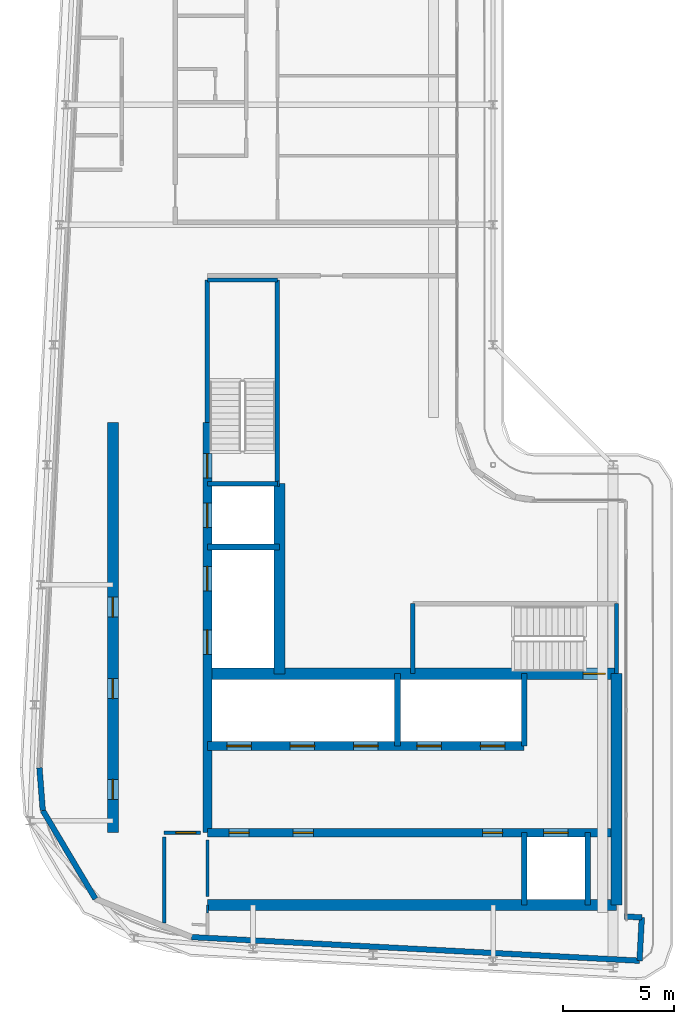
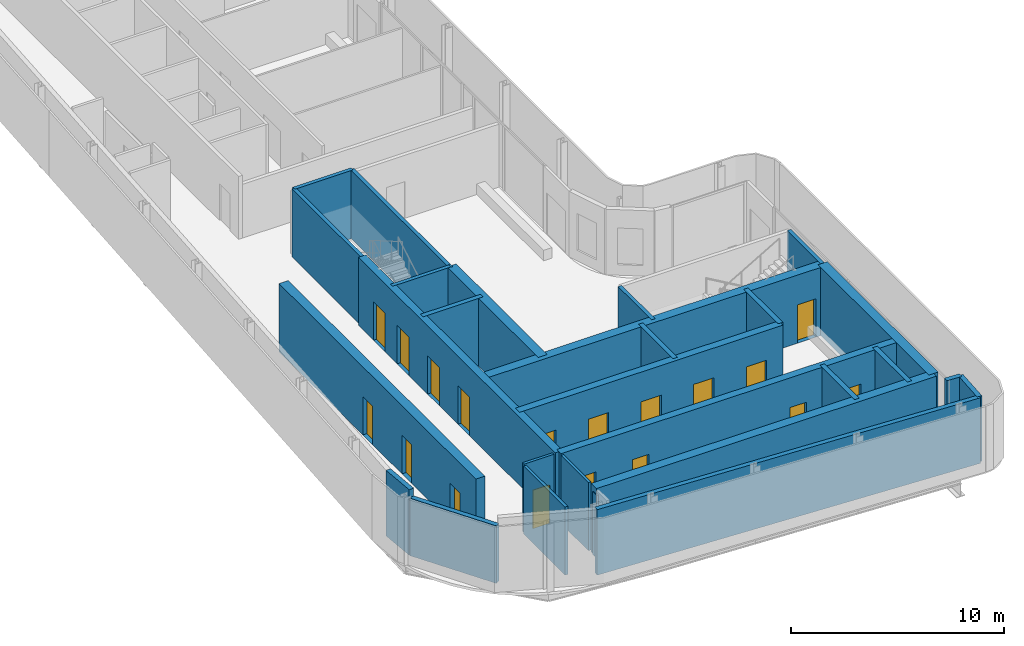
# One storey, part 9 of 18: 29 walls, 18 doors, 18 openings.
"""IFC4 building model written with IfcOpenShell, lengths in metres."""

from ifc_helpers import new_model, si_unit, direction, frame, frame_2d, origin, place, context, subcontext, project, spatial, rectangle, extrude, source, transform, mapped, material, layer, layer_set, type_object, element, fill, save


model = new_model("IFC4")

# Units and contexts
model_context = context("Model", 3, precision=1e-05, world=origin(), true_north=direction((0.0, 1.0)))
body_context = subcontext(model_context, "Body", "Model", "MODEL_VIEW")
ifc_project = project(units=[si_unit("LENGTHUNIT", "METRE"), si_unit("AREAUNIT", "SQUARE_METRE"), si_unit("VOLUMEUNIT", "CUBIC_METRE"), si_unit("PLANEANGLEUNIT", "RADIAN"), si_unit("MASSUNIT", "GRAM", prefix="KILO")], contexts=[model_context])

# Site, building, storey
site_placement = place(None, origin())
site = spatial("IfcSite", under=ifc_project, at=site_placement, CompositionType="ELEMENT")
building_placement = place(site_placement, origin())
building = spatial("IfcBuilding", under=site, at=building_placement, Name="Kheshtan School and Residences Tower", CompositionType="ELEMENT")
storey_placement = place(building_placement, frame((0.0, 0.0, 385.10009765625)))
storey = spatial("IfcBuildingStorey", under=building, at=storey_placement, Name="L91", CompositionType="ELEMENT", Elevation=385.10009765625)

# Wall, openings, doors
ifc_material_1 = material(Name="Concrete C50/60", Category="concrete")
ifc_layer_1 = layer(ifc_material_1, 0.39990234375)
ifc_layer_set_1 = layer_set([ifc_layer_1], Name="Core wall 400 Concrete C50/60")
wall_type_1 = type_object("IfcWallType", Name="Core wall 400 Concrete C50/60", PredefinedType="SHEAR", material=ifc_layer_set_1)
wall_1_placement = place(storey_placement, frame((34.75, 29.050048828125, 0.0), z_axis=(0.0, 0.0, 1.0), x_axis=(1.0, 0.0, 0.0)))
wall_1 = element("IfcWall", 1, at=wall_1_placement, inside=storey, type_object=wall_type_1, Name="Core wall CW-HALL-S1", PredefinedType="SHEAR", context=body_context, shape_type="SweptSolid", body=[
    extrude(rectangle(XDim=18.39990234375, YDim=0.39990234375, at=frame_2d((9.199951171875, 0.0))), origin(), (0.0, 0.0, 1.0), 3.89990234375),
])
opening_1_placement = place(wall_1_placement, frame((15.125, 0.0, 0.0)))
opening_1 = element("IfcOpeningElement", 2, at=opening_1_placement, cuts=wall_1, Name="Opening LD", PredefinedType="OPENING", context=body_context, shape_type="SweptSolid", body=[
    extrude(rectangle(XDim=1.10009765625, YDim=2.199951171875, at=frame_2d((0.550048828125, 1.10009765625))), frame((0.0, 0.2099609375, 0.0), z_axis=(0.0, -1.0, 0.0), x_axis=(1.0, 0.0, 0.0)), (0.0, 0.0, 1.0), 0.419921875),
])
opening_2_placement = place(wall_1_placement, frame((0.97509765625, 0.0, 0.0)))
opening_2 = element("IfcOpeningElement", 3, at=opening_2_placement, cuts=wall_1, Name="Opening SR90", PredefinedType="OPENING", context=body_context, shape_type="SweptSolid", body=[
    extrude(rectangle(XDim=0.89990234375, YDim=2.199951171875, at=frame_2d((0.449951171875, 1.10009765625))), frame((0.0, 0.2099609375, 0.0), z_axis=(0.0, -1.0, 0.0), x_axis=(1.0, 0.0, 0.0)), (0.0, 0.0, 1.0), 0.419921875),
])
opening_3_placement = place(wall_1_placement, frame((3.860107421875, 0.0, 0.0)))
opening_3 = element("IfcOpeningElement", 4, at=opening_3_placement, cuts=wall_1, Name="Opening SR90", PredefinedType="OPENING", context=body_context, shape_type="SweptSolid", body=[
    extrude(rectangle(XDim=0.89990234375, YDim=2.199951171875, at=frame_2d((0.449951171875, 1.10009765625))), frame((0.0, 0.2099609375, 0.0), z_axis=(0.0, -1.0, 0.0), x_axis=(1.0, 0.0, 0.0)), (0.0, 0.0, 1.0), 0.419921875),
])
opening_4_placement = place(wall_1_placement, frame((12.375, 0.0, 0.0)))
opening_4 = element("IfcOpeningElement", 5, at=opening_4_placement, cuts=wall_1, Name="Opening SR90", PredefinedType="OPENING", context=body_context, shape_type="SweptSolid", body=[
    extrude(rectangle(XDim=0.89990234375, YDim=2.199951171875, at=frame_2d((0.449951171875, 1.10009765625))), frame((0.0, 0.2099609375, 0.0), z_axis=(0.0, -1.0, 0.0), x_axis=(1.0, 0.0, 0.0)), (0.0, 0.0, 1.0), 0.419921875),
])
ifc_material_2 = material(Name="Stainless steel door leaves", Category="steel")
door_type_1 = type_object("IfcDoorType", Name="Lift landing door 1100", OperationType="SLIDING_TO_LEFT", PredefinedType="DOOR", material=ifc_material_2)
shared_shape_1 = source(origin(), body_context, "Body", "SweptSolid", [
    extrude(rectangle(XDim=1.10009765625, YDim=2.199951171875, at=frame_2d((0.550048828125, 1.10009765625))), frame((0.0, 0.02490234375, 0.0), z_axis=(0.0, -1.0, 0.0), x_axis=(1.0, 0.0, 0.0)), (0.0, 0.0, 1.0), 0.050048828125),
])
door_1_placement = place(opening_1_placement, origin())
door_1 = element("IfcDoor", 6, at=door_1_placement, inside=storey, type_object=door_type_1, Name="Lift FFL2 landing door", OperationType="SLIDING_TO_LEFT", OverallHeight=2.199951171875, OverallWidth=1.10009765625, PredefinedType="DOOR", context=body_context, shape_type="MappedRepresentation", body=[
    mapped(shared_shape_1, transform((0.0, 0.0, 0.0), x_axis=(1.0, 0.0, 0.0), y_axis=(0.0, 1.0, 0.0), z_axis=(0.0, 0.0, 1.0), scale=1.0)),
])
fill(opening_1, door_1)
ifc_material_3 = material(Name="Steel door leaf, galvanised", Category="steel")
door_type_2 = type_object("IfcDoorType", Name="Service room door 900 steel 90 min", OperationType="SINGLE_SWING_LEFT", PredefinedType="DOOR", material=ifc_material_3)
shared_shape_2 = source(origin(), body_context, "Body", "SweptSolid", [
    extrude(rectangle(XDim=0.89990234375, YDim=2.199951171875, at=frame_2d((0.449951171875, 1.10009765625))), frame((0.0, 0.02490234375, 0.0), z_axis=(0.0, -1.0, 0.0), x_axis=(1.0, 0.0, 0.0)), (0.0, 0.0, 1.0), 0.050048828125),
])
door_2_placement = place(opening_2_placement, origin())
door_2 = element("IfcDoor", 7, at=door_2_placement, inside=storey, type_object=door_type_2, Name="Service room door", OperationType="SINGLE_SWING_LEFT", OverallHeight=2.199951171875, OverallWidth=0.89990234375, PredefinedType="DOOR", context=body_context, shape_type="MappedRepresentation", body=[
    mapped(shared_shape_2, transform((0.0, 0.0, 0.0), x_axis=(1.0, 0.0, 0.0), y_axis=(0.0, 1.0, 0.0), z_axis=(0.0, 0.0, 1.0), scale=1.0)),
])
fill(opening_2, door_2)
door_3_placement = place(opening_3_placement, origin())
door_3 = element("IfcDoor", 8, at=door_3_placement, inside=storey, type_object=door_type_2, Name="Service room door", OperationType="SINGLE_SWING_RIGHT", OverallHeight=2.199951171875, OverallWidth=0.89990234375, PredefinedType="DOOR", context=body_context, shape_type="MappedRepresentation", body=[
    mapped(shared_shape_2, transform((0.0, 0.0, 0.0), x_axis=(1.0, 0.0, 0.0), y_axis=(0.0, 1.0, 0.0), z_axis=(0.0, 0.0, 1.0), scale=1.0)),
])
fill(opening_3, door_3)
door_4_placement = place(opening_4_placement, origin())
door_4 = element("IfcDoor", 9, at=door_4_placement, inside=storey, type_object=door_type_2, Name="Service room door", OperationType="SINGLE_SWING_LEFT", OverallHeight=2.199951171875, OverallWidth=0.89990234375, PredefinedType="DOOR", context=body_context, shape_type="MappedRepresentation", body=[
    mapped(shared_shape_2, transform((0.0, 0.0, 0.0), x_axis=(1.0, 0.0, 0.0), y_axis=(0.0, 1.0, 0.0), z_axis=(0.0, 0.0, 1.0), scale=1.0)),
])
fill(opening_4, door_4)

wall_2_placement = place(storey_placement, frame((34.75, 32.949951171875, 0.0), z_axis=(0.0, 0.0, 1.0), x_axis=(1.0, 0.0, 0.0)))
wall_2 = element("IfcWall", 10, at=wall_2_placement, inside=storey, type_object=wall_type_1, Name="Core wall CW-HALL-S2", PredefinedType="SHEAR", context=body_context, shape_type="SweptSolid", body=[
    extrude(rectangle(XDim=14.25, YDim=0.39990234375, at=frame_2d((7.125, 0.0))), origin(), (0.0, 0.0, 1.0), 3.89990234375),
])
opening_5_placement = place(wall_2_placement, frame((0.875, 0.0, 0.0)))
opening_5 = element("IfcOpeningElement", 11, at=opening_5_placement, cuts=wall_2, Name="Opening LD", PredefinedType="OPENING", context=body_context, shape_type="SweptSolid", body=[
    extrude(rectangle(XDim=1.10009765625, YDim=2.199951171875, at=frame_2d((0.550048828125, 1.10009765625))), frame((0.0, 0.2099609375, 0.0), z_axis=(0.0, -1.0, 0.0), x_axis=(1.0, 0.0, 0.0)), (0.0, 0.0, 1.0), 0.419921875),
])
opening_6_placement = place(wall_2_placement, frame((3.72509765625, 0.0, 0.0)))
opening_6 = element("IfcOpeningElement", 12, at=opening_6_placement, cuts=wall_2, Name="Opening LD", PredefinedType="OPENING", context=body_context, shape_type="SweptSolid", body=[
    extrude(rectangle(XDim=1.10009765625, YDim=2.199951171875, at=frame_2d((0.550048828125, 1.10009765625))), frame((0.0, 0.2099609375, 0.0), z_axis=(0.0, -1.0, 0.0), x_axis=(1.0, 0.0, 0.0)), (0.0, 0.0, 1.0), 0.419921875),
])
opening_7_placement = place(wall_2_placement, frame((6.574951171875, 0.0, 0.0)))
opening_7 = element("IfcOpeningElement", 13, at=opening_7_placement, cuts=wall_2, Name="Opening LD", PredefinedType="OPENING", context=body_context, shape_type="SweptSolid", body=[
    extrude(rectangle(XDim=1.10009765625, YDim=2.199951171875, at=frame_2d((0.550048828125, 1.10009765625))), frame((0.0, 0.2099609375, 0.0), z_axis=(0.0, -1.0, 0.0), x_axis=(1.0, 0.0, 0.0)), (0.0, 0.0, 1.0), 0.419921875),
])
opening_8_placement = place(wall_2_placement, frame((9.425048828125, 0.0, 0.0)))
opening_8 = element("IfcOpeningElement", 14, at=opening_8_placement, cuts=wall_2, Name="Opening LD", PredefinedType="OPENING", context=body_context, shape_type="SweptSolid", body=[
    extrude(rectangle(XDim=1.10009765625, YDim=2.199951171875, at=frame_2d((0.550048828125, 1.10009765625))), frame((0.0, 0.2099609375, 0.0), z_axis=(0.0, -1.0, 0.0), x_axis=(1.0, 0.0, 0.0)), (0.0, 0.0, 1.0), 0.419921875),
])
opening_9_placement = place(wall_2_placement, frame((12.27490234375, 0.0, 0.0)))
opening_9 = element("IfcOpeningElement", 15, at=opening_9_placement, cuts=wall_2, Name="Opening LD", PredefinedType="OPENING", context=body_context, shape_type="SweptSolid", body=[
    extrude(rectangle(XDim=1.10009765625, YDim=2.199951171875, at=frame_2d((0.550048828125, 1.10009765625))), frame((0.0, 0.2099609375, 0.0), z_axis=(0.0, -1.0, 0.0), x_axis=(1.0, 0.0, 0.0)), (0.0, 0.0, 1.0), 0.419921875),
])
door_5_placement = place(opening_5_placement, origin())
door_5 = element("IfcDoor", 16, at=door_5_placement, inside=storey, type_object=door_type_1, Name="Lift P12 landing door", OperationType="SLIDING_TO_LEFT", OverallHeight=2.199951171875, OverallWidth=1.10009765625, PredefinedType="DOOR", context=body_context, shape_type="MappedRepresentation", body=[
    mapped(shared_shape_1, transform((0.0, 0.0, 0.0), x_axis=(1.0, 0.0, 0.0), y_axis=(0.0, 1.0, 0.0), z_axis=(0.0, 0.0, 1.0), scale=1.0)),
])
fill(opening_5, door_5)
door_6_placement = place(opening_6_placement, origin())
door_6 = element("IfcDoor", 17, at=door_6_placement, inside=storey, type_object=door_type_1, Name="Lift P13 landing door", OperationType="SLIDING_TO_LEFT", OverallHeight=2.199951171875, OverallWidth=1.10009765625, PredefinedType="DOOR", context=body_context, shape_type="MappedRepresentation", body=[
    mapped(shared_shape_1, transform((0.0, 0.0, 0.0), x_axis=(1.0, 0.0, 0.0), y_axis=(0.0, 1.0, 0.0), z_axis=(0.0, 0.0, 1.0), scale=1.0)),
])
fill(opening_6, door_6)
door_7_placement = place(opening_7_placement, origin())
door_7 = element("IfcDoor", 18, at=door_7_placement, inside=storey, type_object=door_type_1, Name="Lift P14 landing door", OperationType="SLIDING_TO_LEFT", OverallHeight=2.199951171875, OverallWidth=1.10009765625, PredefinedType="DOOR", context=body_context, shape_type="MappedRepresentation", body=[
    mapped(shared_shape_1, transform((0.0, 0.0, 0.0), x_axis=(1.0, 0.0, 0.0), y_axis=(0.0, 1.0, 0.0), z_axis=(0.0, 0.0, 1.0), scale=1.0)),
])
fill(opening_7, door_7)
door_8_placement = place(opening_8_placement, origin())
door_8 = element("IfcDoor", 19, at=door_8_placement, inside=storey, type_object=door_type_1, Name="Lift P15 landing door", OperationType="SLIDING_TO_LEFT", OverallHeight=2.199951171875, OverallWidth=1.10009765625, PredefinedType="DOOR", context=body_context, shape_type="MappedRepresentation", body=[
    mapped(shared_shape_1, transform((0.0, 0.0, 0.0), x_axis=(1.0, 0.0, 0.0), y_axis=(0.0, 1.0, 0.0), z_axis=(0.0, 0.0, 1.0), scale=1.0)),
])
fill(opening_8, door_8)
door_9_placement = place(opening_9_placement, origin())
door_9 = element("IfcDoor", 20, at=door_9_placement, inside=storey, type_object=door_type_1, Name="Lift P16 landing door", OperationType="SLIDING_TO_LEFT", OverallHeight=2.199951171875, OverallWidth=1.10009765625, PredefinedType="DOOR", context=body_context, shape_type="MappedRepresentation", body=[
    mapped(shared_shape_1, transform((0.0, 0.0, 0.0), x_axis=(1.0, 0.0, 0.0), y_axis=(0.0, 1.0, 0.0), z_axis=(0.0, 0.0, 1.0), scale=1.0)),
])
fill(opening_9, door_9)

wall_3_placement = place(storey_placement, frame((34.75, 29.050048828125, 0.0), z_axis=(0.0, 0.0, 1.0), x_axis=(0.0, 1.0, 0.0)))
wall_3 = element("IfcWall", 21, at=wall_3_placement, inside=storey, type_object=wall_type_1, Name="Core wall CW-HALL-W1", PredefinedType="SHEAR", context=body_context, shape_type="SweptSolid", body=[
    extrude(rectangle(XDim=18.449951171875, YDim=0.39990234375, at=frame_2d((9.22509765625, 0.0))), origin(), (0.0, 0.0, 1.0), 3.89990234375),
])
opening_10_placement = place(wall_3_placement, frame((8.02490234375, 0.0, 0.0)))
opening_10 = element("IfcOpeningElement", 22, at=opening_10_placement, cuts=wall_3, Name="Opening LD", PredefinedType="OPENING", context=body_context, shape_type="SweptSolid", body=[
    extrude(rectangle(XDim=1.10009765625, YDim=2.199951171875, at=frame_2d((0.550048828125, 1.10009765625))), frame((0.0, 0.2099609375, 0.0), z_axis=(0.0, -1.0, 0.0), x_axis=(1.0, 0.0, 0.0)), (0.0, 0.0, 1.0), 0.419921875),
])
opening_11_placement = place(wall_3_placement, frame((10.875, 0.0, 0.0)))
opening_11 = element("IfcOpeningElement", 23, at=opening_11_placement, cuts=wall_3, Name="Opening LD", PredefinedType="OPENING", context=body_context, shape_type="SweptSolid", body=[
    extrude(rectangle(XDim=1.10009765625, YDim=2.199951171875, at=frame_2d((0.550048828125, 1.10009765625))), frame((0.0, 0.2099609375, 0.0), z_axis=(0.0, -1.0, 0.0), x_axis=(1.0, 0.0, 0.0)), (0.0, 0.0, 1.0), 0.419921875),
])
opening_12_placement = place(wall_3_placement, frame((13.72509765625, 0.0, 0.0)))
opening_12 = element("IfcOpeningElement", 24, at=opening_12_placement, cuts=wall_3, Name="Opening LD", PredefinedType="OPENING", context=body_context, shape_type="SweptSolid", body=[
    extrude(rectangle(XDim=1.10009765625, YDim=2.199951171875, at=frame_2d((0.550048828125, 1.10009765625))), frame((0.0, 0.2099609375, 0.0), z_axis=(0.0, -1.0, 0.0), x_axis=(1.0, 0.0, 0.0)), (0.0, 0.0, 1.0), 0.419921875),
])
opening_13_placement = place(wall_3_placement, frame((15.949951171875, 0.0, 0.0)))
opening_13 = element("IfcOpeningElement", 25, at=opening_13_placement, cuts=wall_3, Name="Opening ST2D", PredefinedType="OPENING", context=body_context, shape_type="SweptSolid", body=[
    extrude(rectangle(XDim=1.10009765625, YDim=2.199951171875, at=frame_2d((0.550048828125, 1.10009765625))), frame((0.0, 0.2099609375, 0.0), z_axis=(0.0, -1.0, 0.0), x_axis=(1.0, 0.0, 0.0)), (0.0, 0.0, 1.0), 0.419921875),
])
door_10_placement = place(opening_10_placement, origin())
door_10 = element("IfcDoor", 26, at=door_10_placement, inside=storey, type_object=door_type_1, Name="Lift SV1 landing door", OperationType="SLIDING_TO_LEFT", OverallHeight=2.199951171875, OverallWidth=1.10009765625, PredefinedType="DOOR", context=body_context, shape_type="MappedRepresentation", body=[
    mapped(shared_shape_1, transform((0.0, 0.0, 0.0), x_axis=(1.0, 0.0, 0.0), y_axis=(0.0, 1.0, 0.0), z_axis=(0.0, 0.0, 1.0), scale=1.0)),
])
fill(opening_10, door_10)
door_11_placement = place(opening_11_placement, origin())
door_11 = element("IfcDoor", 27, at=door_11_placement, inside=storey, type_object=door_type_1, Name="Lift SV2 landing door", OperationType="SLIDING_TO_LEFT", OverallHeight=2.199951171875, OverallWidth=1.10009765625, PredefinedType="DOOR", context=body_context, shape_type="MappedRepresentation", body=[
    mapped(shared_shape_1, transform((0.0, 0.0, 0.0), x_axis=(1.0, 0.0, 0.0), y_axis=(0.0, 1.0, 0.0), z_axis=(0.0, 0.0, 1.0), scale=1.0)),
])
fill(opening_11, door_11)
door_12_placement = place(opening_12_placement, origin())
door_12 = element("IfcDoor", 28, at=door_12_placement, inside=storey, type_object=door_type_1, Name="Lift FFL1 landing door", OperationType="SLIDING_TO_LEFT", OverallHeight=2.199951171875, OverallWidth=1.10009765625, PredefinedType="DOOR", context=body_context, shape_type="MappedRepresentation", body=[
    mapped(shared_shape_1, transform((0.0, 0.0, 0.0), x_axis=(1.0, 0.0, 0.0), y_axis=(0.0, 1.0, 0.0), z_axis=(0.0, 0.0, 1.0), scale=1.0)),
])
fill(opening_12, door_12)
door_type_3 = type_object("IfcDoorType", Name="Stair door 1100 steel 90 min", OperationType="SINGLE_SWING_LEFT", PredefinedType="DOOR", material=ifc_material_3)
shared_shape_3 = source(origin(), body_context, "Body", "SweptSolid", [
    extrude(rectangle(XDim=1.10009765625, YDim=2.199951171875, at=frame_2d((0.550048828125, 1.10009765625))), frame((0.0, 0.02490234375, 0.0), z_axis=(0.0, -1.0, 0.0), x_axis=(1.0, 0.0, 0.0)), (0.0, 0.0, 1.0), 0.050048828125),
])
door_13_placement = place(opening_13_placement, origin())
door_13 = element("IfcDoor", 29, at=door_13_placement, inside=storey, type_object=door_type_3, Name="Stair ST2 door", OperationType="SINGLE_SWING_RIGHT", OverallHeight=2.199951171875, OverallWidth=1.10009765625, PredefinedType="DOOR", context=body_context, shape_type="MappedRepresentation", body=[
    mapped(shared_shape_3, transform((0.0, 0.0, 0.0), x_axis=(1.0, 0.0, 0.0), y_axis=(0.0, 1.0, 0.0), z_axis=(0.0, 0.0, 1.0), scale=1.0)),
])
fill(opening_13, door_13)

# Wall
ifc_layer_2 = layer(ifc_material_1, 0.5)
ifc_layer_set_2 = layer_set([ifc_layer_2], Name="Core wall 500 Concrete C50/60")
wall_type_2 = type_object("IfcWallType", Name="Core wall 500 Concrete C50/60", PredefinedType="SHEAR", material=ifc_layer_set_2)
wall_4_placement = place(storey_placement, frame((34.75, 25.800048828125, 0.0), z_axis=(0.0, 0.0, 1.0), x_axis=(1.0, 0.0, 0.0)))
element("IfcWall", 30, at=wall_4_placement, inside=storey, type_object=wall_type_2, Name="Core wall CW-REAR-S", PredefinedType="SHEAR", context=body_context, shape_type="SweptSolid", body=[
    extrude(rectangle(XDim=18.39990234375, YDim=0.5, at=frame_2d((9.199951171875, 0.0))), origin(), (0.0, 0.0, 1.0), 3.89990234375),
])

# Wall, opening, door
wall_5_placement = place(storey_placement, frame((34.75, 36.199951171875, 0.0), z_axis=(0.0, 0.0, 1.0), x_axis=(1.0, 0.0, 0.0)))
wall_5 = element("IfcWall", 31, at=wall_5_placement, inside=storey, type_object=wall_type_2, Name="Core wall CW-FRONT-S", PredefinedType="SHEAR", context=body_context, shape_type="SweptSolid", body=[
    extrude(rectangle(XDim=18.39990234375, YDim=0.5, at=frame_2d((9.199951171875, 0.0))), origin(), (0.0, 0.0, 1.0), 3.89990234375),
])
opening_14_placement = place(wall_5_placement, frame((16.89990234375, 0.0, 0.0)))
opening_14 = element("IfcOpeningElement", 32, at=opening_14_placement, cuts=wall_5, Name="Opening ST1D", PredefinedType="OPENING", context=body_context, shape_type="SweptSolid", body=[
    extrude(rectangle(XDim=1.0, YDim=2.199951171875, at=frame_2d((0.5, 1.10009765625))), frame((0.0, 0.260009765625, 0.0), z_axis=(0.0, -1.0, 0.0), x_axis=(1.0, 0.0, 0.0)), (0.0, 0.0, 1.0), 0.52001953125),
])
shared_shape_4 = source(origin(), body_context, "Body", "SweptSolid", [
    extrude(rectangle(XDim=1.0, YDim=2.199951171875, at=frame_2d((0.5, 1.10009765625))), frame((0.0, 0.02490234375, 0.0), z_axis=(0.0, -1.0, 0.0), x_axis=(1.0, 0.0, 0.0)), (0.0, 0.0, 1.0), 0.050048828125),
])
door_14_placement = place(opening_14_placement, origin())
door_14 = element("IfcDoor", 33, at=door_14_placement, inside=storey, type_object=door_type_3, Name="Stair ST1 door", OperationType="SINGLE_SWING_RIGHT", OverallHeight=2.199951171875, OverallWidth=1.0, PredefinedType="DOOR", context=body_context, shape_type="MappedRepresentation", body=[
    mapped(shared_shape_4, transform((0.0, 0.0, 0.0), x_axis=(1.0, 0.0, 0.0), y_axis=(0.0, 1.0, 0.0), z_axis=(0.0, 0.0, 1.0), scale=1.0)),
])
fill(opening_14, door_14)

# Wall
wall_6_placement = place(storey_placement, frame((38.0, 36.199951171875, 0.0), z_axis=(0.0, 0.0, 1.0), x_axis=(0.0, 1.0, 0.0)))
element("IfcWall", 34, at=wall_6_placement, inside=storey, type_object=wall_type_2, Name="Core wall CW-FRONT-W", PredefinedType="SHEAR", context=body_context, shape_type="SweptSolid", body=[
    extrude(rectangle(XDim=8.550048828125, YDim=0.5, at=frame_2d((4.27490234375, 0.0))), origin(), (0.0, 0.0, 1.0), 3.89990234375),
])

# Wall, openings, doors
wall_7_placement = place(storey_placement, frame((30.5, 29.050048828125, 0.0), z_axis=(0.0, 0.0, 1.0), x_axis=(0.0, 1.0, 0.0)))
wall_7 = element("IfcWall", 35, at=wall_7_placement, inside=storey, type_object=wall_type_2, Name="Core wall CW-REAR-W", PredefinedType="SHEAR", context=body_context, shape_type="SweptSolid", body=[
    extrude(rectangle(XDim=18.449951171875, YDim=0.5, at=frame_2d((9.22509765625, 0.0))), origin(), (0.0, 0.0, 1.0), 3.89990234375),
])
opening_15_placement = place(wall_7_placement, frame((1.5, 0.0, 0.0)))
opening_15 = element("IfcOpeningElement", 36, at=opening_15_placement, cuts=wall_7, Name="Opening SR90", PredefinedType="OPENING", context=body_context, shape_type="SweptSolid", body=[
    extrude(rectangle(XDim=0.89990234375, YDim=2.199951171875, at=frame_2d((0.449951171875, 1.10009765625))), frame((0.0, 0.260009765625, 0.0), z_axis=(0.0, -1.0, 0.0), x_axis=(1.0, 0.0, 0.0)), (0.0, 0.0, 1.0), 0.52001953125),
])
opening_16_placement = place(wall_7_placement, frame((6.030029296875, 0.0, 0.0)))
opening_16 = element("IfcOpeningElement", 37, at=opening_16_placement, cuts=wall_7, Name="Opening SR90", PredefinedType="OPENING", context=body_context, shape_type="SweptSolid", body=[
    extrude(rectangle(XDim=0.89990234375, YDim=2.199951171875, at=frame_2d((0.449951171875, 1.10009765625))), frame((0.0, 0.260009765625, 0.0), z_axis=(0.0, -1.0, 0.0), x_axis=(1.0, 0.0, 0.0)), (0.0, 0.0, 1.0), 0.52001953125),
])
opening_17_placement = place(wall_7_placement, frame((9.699951171875, 0.0, 0.0)))
opening_17 = element("IfcOpeningElement", 38, at=opening_17_placement, cuts=wall_7, Name="Opening SR90", PredefinedType="OPENING", context=body_context, shape_type="SweptSolid", body=[
    extrude(rectangle(XDim=0.89990234375, YDim=2.199951171875, at=frame_2d((0.449951171875, 1.10009765625))), frame((0.0, 0.260009765625, 0.0), z_axis=(0.0, -1.0, 0.0), x_axis=(1.0, 0.0, 0.0)), (0.0, 0.0, 1.0), 0.52001953125),
])
door_15_placement = place(opening_15_placement, origin())
door_15 = element("IfcDoor", 39, at=door_15_placement, inside=storey, type_object=door_type_2, Name="Service room door", OperationType="SINGLE_SWING_LEFT", OverallHeight=2.199951171875, OverallWidth=0.89990234375, PredefinedType="DOOR", context=body_context, shape_type="MappedRepresentation", body=[
    mapped(shared_shape_2, transform((0.0, 0.0, 0.0), x_axis=(1.0, 0.0, 0.0), y_axis=(0.0, 1.0, 0.0), z_axis=(0.0, 0.0, 1.0), scale=1.0)),
])
fill(opening_15, door_15)
door_16_placement = place(opening_16_placement, origin())
door_16 = element("IfcDoor", 40, at=door_16_placement, inside=storey, type_object=door_type_2, Name="Service room door", OperationType="SINGLE_SWING_RIGHT", OverallHeight=2.199951171875, OverallWidth=0.89990234375, PredefinedType="DOOR", context=body_context, shape_type="MappedRepresentation", body=[
    mapped(shared_shape_2, transform((0.0, 0.0, 0.0), x_axis=(1.0, 0.0, 0.0), y_axis=(0.0, 1.0, 0.0), z_axis=(0.0, 0.0, 1.0), scale=1.0)),
])
fill(opening_16, door_16)
door_17_placement = place(opening_17_placement, origin())
door_17 = element("IfcDoor", 41, at=door_17_placement, inside=storey, type_object=door_type_2, Name="Service room door", OperationType="SINGLE_SWING_LEFT", OverallHeight=2.199951171875, OverallWidth=0.89990234375, PredefinedType="DOOR", context=body_context, shape_type="MappedRepresentation", body=[
    mapped(shared_shape_2, transform((0.0, 0.0, 0.0), x_axis=(1.0, 0.0, 0.0), y_axis=(0.0, 1.0, 0.0), z_axis=(0.0, 0.0, 1.0), scale=1.0)),
])
fill(opening_17, door_17)

# Walls
wall_8_placement = place(storey_placement, frame((53.14990234375, 25.800048828125, 0.0), z_axis=(0.0, 0.0, 1.0), x_axis=(0.0, 1.0, 0.0)))
element("IfcWall", 42, at=wall_8_placement, inside=storey, type_object=wall_type_2, Name="Core wall CW-EAST", PredefinedType="SHEAR", context=body_context, shape_type="SweptSolid", body=[
    extrude(rectangle(XDim=10.39990234375, YDim=0.5, at=frame_2d((5.199951171875, 0.0))), origin(), (0.0, 0.0, 1.0), 3.89990234375),
])
ifc_material_4 = material(Name="Concrete C40/50 with ceramic cladding and mineral wool insulation", Category="concrete")
ifc_layer_3 = layer(ifc_material_4, 0.25)
ifc_layer_set_3 = layer_set([ifc_layer_3], Name="External wall 250 ceramic clad")
wall_type_3 = type_object("IfcWallType", Name="External wall 250 ceramic clad", PredefinedType="SOLIDWALL", material=ifc_layer_set_3)
wall_9_placement = place(storey_placement, frame((29.7119140625, 26.072021484375, 0.0), z_axis=(0.0, 0.0, 1.0), x_axis=(-0.511028049012, 0.859564036662, 0.0)))
element("IfcWall", 43, at=wall_9_placement, inside=storey, type_object=wall_type_3, Name="External wall L91 2", PredefinedType="SOLIDWALL", context=body_context, shape_type="SweptSolid", body=[
    extrude(rectangle(XDim=4.633544921875, YDim=0.25, at=frame_2d((2.31689453125, 0.0))), origin(), (0.0, 0.0, 1.0), 3.29296875),
])
wall_10_placement = place(storey_placement, frame((27.343994140625, 30.054931640625, 0.0), z_axis=(0.0, 0.0, 1.0), x_axis=(-0.077571675317, 0.99698677784, 0.0)))
element("IfcWall", 44, at=wall_10_placement, inside=storey, type_object=wall_type_3, Name="External wall L91 3", PredefinedType="SOLIDWALL", context=body_context, shape_type="SweptSolid", body=[
    extrude(rectangle(XDim=1.919921875, YDim=0.25, at=frame_2d((0.9599609375, 0.0))), origin(), (0.0, 0.0, 1.0), 3.75),
])
wall_11_placement = place(storey_placement, frame((53.507080078125, 25.281005859375, 0.0), z_axis=(0.0, 0.0, 1.0), x_axis=(0.998561284263, -0.053622398031, 0.0)))
element("IfcWall", 45, at=wall_11_placement, inside=storey, type_object=wall_type_3, Name="External wall L91 14", PredefinedType="SOLIDWALL", context=body_context, shape_type="SweptSolid", body=[
    extrude(rectangle(XDim=0.783203125, YDim=0.25, at=frame_2d((0.3916015625, 0.0))), origin(), (0.0, 0.0, 1.0), 3.75),
])
wall_12_placement = place(storey_placement, frame((54.2890625, 25.239013671875, 0.0), z_axis=(0.0, 0.0, 1.0), x_axis=(-0.052841433274, -0.998602915542, 0.0)))
element("IfcWall", 46, at=wall_12_placement, inside=storey, type_object=wall_type_3, Name="External wall L91 15", PredefinedType="SOLIDWALL", context=body_context, shape_type="SweptSolid", body=[
    extrude(rectangle(XDim=1.94970703125, YDim=0.25, at=frame_2d((0.974853515625, 0.0))), origin(), (0.0, 0.0, 1.0), 3.75),
])
wall_13_placement = place(storey_placement, frame((54.18603515625, 23.2919921875, 0.0), z_axis=(0.0, 0.0, 1.0), x_axis=(-0.998616090491, 0.052591860707, 0.0)))
element("IfcWall", 47, at=wall_13_placement, inside=storey, type_object=wall_type_3, Name="External wall L91 16", PredefinedType="SOLIDWALL", context=body_context, shape_type="SweptSolid", body=[
    extrude(rectangle(XDim=20.1748046875, YDim=0.25, at=frame_2d((10.08740234375, 0.0))), origin(), (0.0, 0.0, 1.0), 3.75),
])
ifc_material_5 = material(Name="Gypsum board on steel studs", Category="steel")
ifc_layer_4 = layer(ifc_material_5, 0.10009765625)
ifc_layer_set_4 = layer_set([ifc_layer_4], Name="Gypsum partition 100")
wall_type_4 = type_object("IfcWallType", Name="Gypsum partition 100", PredefinedType="PARTITIONING", material=ifc_layer_set_4)
wall_14_placement = place(storey_placement, frame((34.75, 25.428955078125, 0.0), z_axis=(0.0, 0.0, 1.0), x_axis=(0.0, 1.0, 0.0)))
element("IfcWall", 48, at=wall_14_placement, inside=storey, type_object=wall_type_4, Name="Partition L91-017", PredefinedType="PARTITIONING", context=body_context, shape_type="SweptSolid", body=[
    extrude(rectangle(XDim=0.37109375, YDim=0.10009765625, at=frame_2d((0.185546875, 0.0))), origin(), (0.0, 0.0, 1.0), 3.599853515625),
])
ifc_material_6 = material(Name="Fire-board shaft wall system")
ifc_layer_5 = layer(ifc_material_6, 0.14990234375)
ifc_layer_set_5 = layer_set([ifc_layer_5], Name="Service room wall 150")
wall_type_5 = type_object("IfcWallType", Name="Service room wall 150", PredefinedType="PARTITIONING", material=ifc_layer_set_5)
wall_15_placement = place(storey_placement, frame((34.75, 26.169921875, 0.0), z_axis=(0.0, 0.0, 1.0), x_axis=(0.0, 1.0, 0.0)))
element("IfcWall", 49, at=wall_15_placement, inside=storey, type_object=wall_type_5, Name="Service room wall", PredefinedType="PARTITIONING", context=body_context, shape_type="SweptSolid", body=[
    extrude(rectangle(XDim=2.56005859375, YDim=0.14990234375, at=frame_2d((1.280029296875, 0.0))), origin(), (0.0, 0.0, 1.0), 3.89990234375),
])

# Wall, opening, door
wall_16_placement = place(storey_placement, frame((32.804931640625, 29.050048828125, 0.0), z_axis=(0.0, 0.0, 1.0), x_axis=(1.0, 0.0, 0.0)))
wall_16 = element("IfcWall", 50, at=wall_16_placement, inside=storey, type_object=wall_type_5, Name="Service room wall", PredefinedType="PARTITIONING", context=body_context, shape_type="SweptSolid", body=[
    extrude(rectangle(XDim=1.625, YDim=0.14990234375, at=frame_2d((0.8125, 0.0))), origin(), (0.0, 0.0, 1.0), 3.89990234375),
])
opening_18_placement = place(wall_16_placement, frame((0.52294921875, 0.0, 0.0)))
opening_18 = element("IfcOpeningElement", 51, at=opening_18_placement, cuts=wall_16, Name="Opening SR90", PredefinedType="OPENING", context=body_context, shape_type="SweptSolid", body=[
    extrude(rectangle(XDim=0.89990234375, YDim=2.199951171875, at=frame_2d((0.449951171875, 1.10009765625))), frame((0.0, 0.0849609375, 0.0), z_axis=(0.0, -1.0, 0.0), x_axis=(1.0, 0.0, 0.0)), (0.0, 0.0, 1.0), 0.169921875),
])
door_18_placement = place(opening_18_placement, origin())
door_18 = element("IfcDoor", 52, at=door_18_placement, inside=storey, type_object=door_type_2, Name="Service room door", OperationType="SINGLE_SWING_LEFT", OverallHeight=2.199951171875, OverallWidth=0.89990234375, PredefinedType="DOOR", context=body_context, shape_type="MappedRepresentation", body=[
    mapped(shared_shape_2, transform((0.0, 0.0, 0.0), x_axis=(1.0, 0.0, 0.0), y_axis=(0.0, 1.0, 0.0), z_axis=(0.0, 0.0, 1.0), scale=1.0)),
])
fill(opening_18, door_18)

# Walls
wall_17_placement = place(storey_placement, frame((32.804931640625, 24.97998046875, 0.0), z_axis=(0.0, 0.0, 1.0), x_axis=(0.0, 1.0, 0.0)))
element("IfcWall", 53, at=wall_17_placement, inside=storey, type_object=wall_type_5, Name="Service room wall", PredefinedType="PARTITIONING", context=body_context, shape_type="SweptSolid", body=[
    extrude(rectangle(XDim=3.875, YDim=0.14990234375, at=frame_2d((1.9375, 0.0))), origin(), (0.0, 0.0, 1.0), 3.89990234375),
])
ifc_layer_6 = layer(ifc_material_6, 0.25)
ifc_layer_set_6 = layer_set([ifc_layer_6], Name="Shaft lining wall 250")
wall_type_6 = type_object("IfcWallType", Name="Shaft lining wall 250", PredefinedType="PARTITIONING", material=ifc_layer_set_6)
for number, where, z_axis, x_axis, name in (
    (54, (43.300048828125, 32.949951171875, 0.0), (0.0, 0.0, 1.0), (0.0, 1.0, 0.0), "Shaft lining wall"),
    (55, (49.0, 25.800048828125, 0.0), (0.0, 0.0, 1.0), (0.0, 1.0, 0.0), "Shaft lining wall"),
    (56, (49.0, 32.949951171875, 0.0), (0.0, 0.0, 1.0), (0.0, 1.0, 0.0), "Shaft lining wall"),
    (57, (51.85009765625, 25.800048828125, 0.0), (0.0, 0.0, 1.0), (0.0, 1.0, 0.0), "Shaft lining wall"),
    (58, (34.75, 41.89990234375, 0.0), (0.0, 0.0, 1.0), (1.0, 0.0, 0.0), "Shaft lining wall"),
):
    element("IfcWall", number, at=place(storey_placement, frame(where, z_axis=z_axis, x_axis=x_axis)), inside=storey, type_object=wall_type_6, Name=name, PredefinedType="PARTITIONING", context=body_context, shape_type="SweptSolid", body=[
        extrude(rectangle(XDim=3.25, YDim=0.25, at=frame_2d((1.625, 0.0))), origin(), (0.0, 0.0, 1.0), 3.89990234375),
    ])
wall_18_placement = place(storey_placement, frame((37.89990234375, 44.75, 0.0), z_axis=(0.0, 0.0, 1.0), x_axis=(1.0, 0.0, 0.0)))
element("IfcWall", 59, at=wall_18_placement, inside=storey, type_object=wall_type_6, Name="Shaft lining wall", PredefinedType="PARTITIONING", context=body_context, shape_type="SweptSolid", body=[
    extrude(rectangle(XDim=0.10009765625, YDim=0.25, at=frame_2d((0.050048828125, 0.0))), origin(), (0.0, 0.0, 1.0), 3.89990234375),
])
ifc_material_7 = material(Name="Concrete C40/50", Category="concrete")
ifc_layer_7 = layer(ifc_material_7, 0.199951171875)
ifc_layer_set_7 = layer_set([ifc_layer_7], Name="Stair enclosure wall 200 Concrete C40/50")
wall_type_7 = type_object("IfcWallType", Name="Stair enclosure wall 200 Concrete C40/50", PredefinedType="SHEAR", material=ifc_layer_set_7)
for number, where, z_axis, x_axis, name in (
    (60, (43.989990234375, 36.199951171875, 0.0), (0.0, 0.0, 1.0), (0.0, 1.0, 0.0), "Stair enclosure wall ST1"),
    (61, (53.14990234375, 36.199951171875, 0.0), (0.0, 0.0, 1.0), (0.0, 1.0, 0.0), "Stair enclosure wall ST1"),
):
    element("IfcWall", number, at=place(storey_placement, frame(where, z_axis=z_axis, x_axis=x_axis)), inside=storey, type_object=wall_type_7, Name=name, PredefinedType="SHEAR", context=body_context, shape_type="SweptSolid", body=[
        extrude(rectangle(XDim=3.150146484375, YDim=0.199951171875, at=frame_2d((1.5751953125, 0.0))), origin(), (0.0, 0.0, 1.0), 3.89990234375),
    ])
for number, where, z_axis, x_axis, name in (
    (62, (34.75, 44.75, 0.0), (0.0, 0.0, 1.0), (1.0, 0.0, 0.0), "Stair enclosure wall ST2"),
    (63, (34.75, 53.909912109375, 0.0), (0.0, 0.0, 1.0), (1.0, 0.0, 0.0), "Stair enclosure wall ST2"),
):
    element("IfcWall", number, at=place(storey_placement, frame(where, z_axis=z_axis, x_axis=x_axis)), inside=storey, type_object=wall_type_7, Name=name, PredefinedType="SHEAR", context=body_context, shape_type="SweptSolid", body=[
        extrude(rectangle(XDim=3.14990234375, YDim=0.199951171875, at=frame_2d((1.574951171875, 0.0))), origin(), (0.0, 0.0, 1.0), 3.89990234375),
    ])
wall_19_placement = place(storey_placement, frame((34.75, 47.5, 0.0), z_axis=(0.0, 0.0, 1.0), x_axis=(0.0, 1.0, 0.0)))
element("IfcWall", 64, at=wall_19_placement, inside=storey, type_object=wall_type_7, Name="Stair enclosure wall ST2", PredefinedType="SHEAR", context=body_context, shape_type="SweptSolid", body=[
    extrude(rectangle(XDim=6.409912109375, YDim=0.199951171875, at=frame_2d((3.205078125, 0.0))), origin(), (0.0, 0.0, 1.0), 3.89990234375),
])
wall_20_placement = place(storey_placement, frame((37.89990234375, 44.75, 0.0), z_axis=(0.0, 0.0, 1.0), x_axis=(0.0, 1.0, 0.0)))
element("IfcWall", 65, at=wall_20_placement, inside=storey, type_object=wall_type_7, Name="Stair enclosure wall ST2", PredefinedType="SHEAR", context=body_context, shape_type="SweptSolid", body=[
    extrude(rectangle(XDim=9.159912109375, YDim=0.199951171875, at=frame_2d((4.580078125, 0.0))), origin(), (0.0, 0.0, 1.0), 3.89990234375),
])

save(model, "model.ifc")
